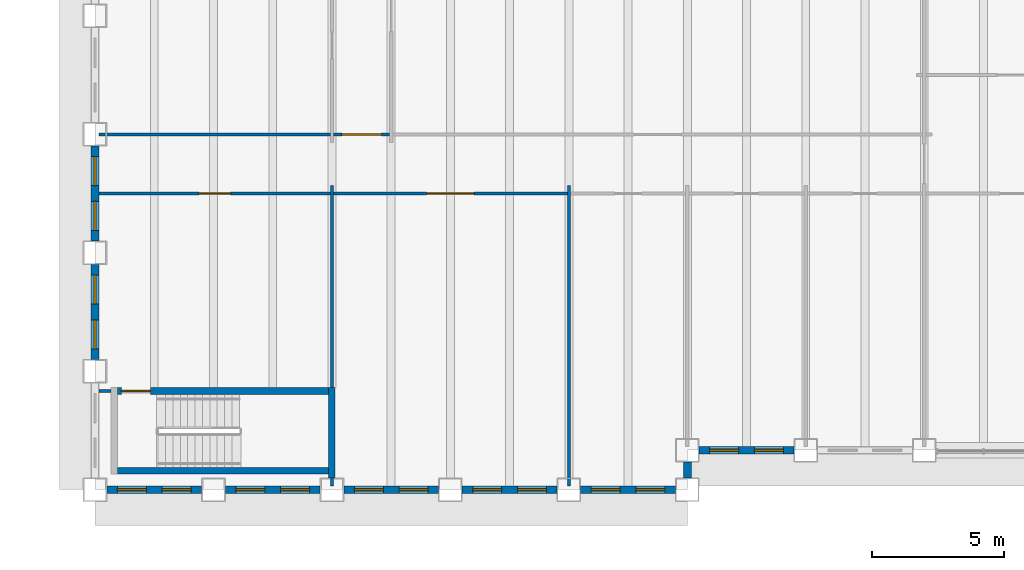
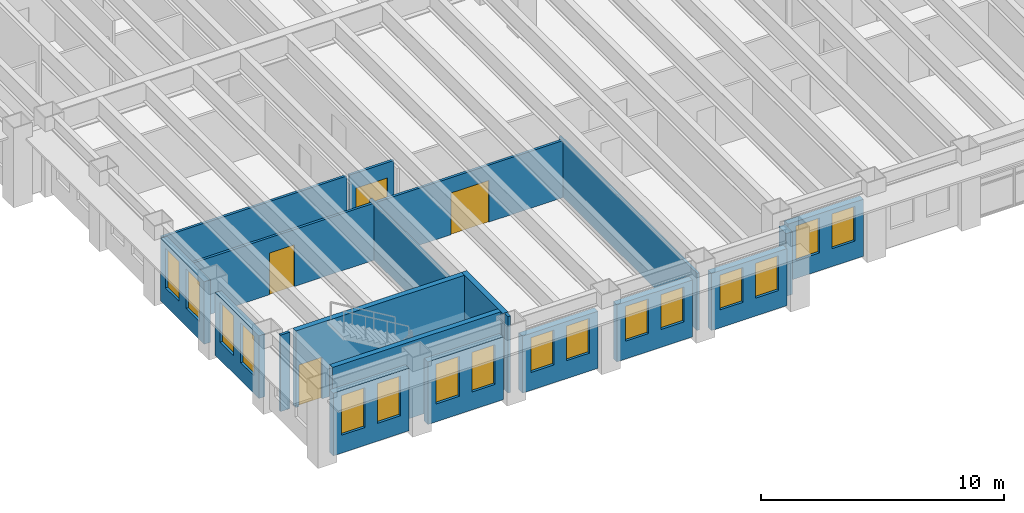
# One storey, part 5 of 17: 20 walls, 16 windows, 4 doors, 20 openings.
"""IFC4 building model written with IfcOpenShell, lengths in metres."""

import ifcopenshell
import ifcopenshell.guid

model = None  # the IFC model being written
_history = None  # IfcOwnerHistory: only IFC2X3 demands one
_inside = {}  # id of a spatial element -> (the spatial element, [elements in it])
_under = {}  # id of a project, library or spatial element -> (it, [spatial elements below it])
_declared = {}  # id of a project -> (the project, [libraries it declares])
_typed = {}  # id of a type object -> (the type object, [elements of that type])
_made_of = {}  # id of a material, layer set ... -> (it, [elements and type objects made of it])


def new_model(schema):
    """Start an empty IFC model of exactly this schema.

    Asked for "IFC4X3", IfcOpenShell would pick the latest addendum, in which some entities
    have other attributes; the version numbers below select the first issue.
    IFC2X3 requires an IfcOwnerHistory on every rooted entity: one is made here for all.
    """
    global model, _history
    if schema == "IFC4X3":
        model = ifcopenshell.file(schema_version=(4, 3, 0, 0))
    else:
        model = ifcopenshell.file(schema=schema)
    _inside.clear()
    _under.clear()
    _declared.clear()
    _typed.clear()
    _made_of.clear()
    _history = None
    if model.schema == "IFC2X3":
        org = make("IfcOrganization", Name="unknown")
        user = make(
            "IfcPersonAndOrganization",
            ThePerson=make("IfcPerson", FamilyName="unknown"),
            TheOrganization=org,
        )
        app = make(
            "IfcApplication",
            ApplicationDeveloper=org,
            Version="unknown",
            ApplicationFullName="unknown",
            ApplicationIdentifier="unknown",
        )
        _history = make(
            "IfcOwnerHistory",
            OwningUser=user,
            OwningApplication=app,
            ChangeAction="ADDED",
            CreationDate=0,
        )
    return model


def make(cls, **values):
    """One entity of the class cls with the attributes given. An attribute that is None is left unset."""
    return model.create_entity(
        cls, **{name: value for name, value in values.items() if value is not None}
    )


def rooted(cls, **values):
    """An entity with a GlobalId (a new one), such as an element, a storey or a relation."""
    return make(cls, GlobalId=ifcopenshell.guid.new(), OwnerHistory=_history, **values)


def si_unit(unit_type, name, prefix=None):
    """IfcSIUnit, for example si_unit("LENGTHUNIT", "METRE", prefix="MILLI")."""
    return make("IfcSIUnit", UnitType=unit_type, Prefix=prefix, Name=name)


def assignment(units):
    """IfcUnitAssignment: the units of a project."""
    return None if units is None else make("IfcUnitAssignment", Units=units)


def point(xyz):
    """IfcCartesianPoint."""
    return None if xyz is None else make("IfcCartesianPoint", Coordinates=xyz)


def direction(xyz):
    """IfcDirection."""
    return None if xyz is None else make("IfcDirection", DirectionRatios=xyz)


def frame(location, z_axis=None, x_axis=None):
    """IfcAxis2Placement3D, a coordinate frame: its origin and axes. An axis left out is left unset."""
    return make(
        "IfcAxis2Placement3D",
        Location=point(location),
        Axis=direction(z_axis),
        RefDirection=direction(x_axis),
    )


def frame_2d(location, x_axis=None):
    """IfcAxis2Placement2D, a coordinate frame in the plane: its origin and x axis."""
    return make(
        "IfcAxis2Placement2D", Location=point(location), RefDirection=direction(x_axis)
    )


def origin():
    """The frame at (0, 0, 0) with its axes left unset."""
    return frame((0.0, 0.0, 0.0))


def place(relative_to, where):
    """IfcLocalPlacement: puts the frame where relative to a parent placement (None: the world)."""
    return make(
        "IfcLocalPlacement", PlacementRelTo=relative_to, RelativePlacement=where
    )


def context(
    kind, dimensions, precision=None, world=None, true_north=None, identifier=None
):
    """IfcGeometricRepresentationContext, for example the 3D "Model" context."""
    return make(
        "IfcGeometricRepresentationContext",
        ContextIdentifier=identifier,
        ContextType=kind,
        CoordinateSpaceDimension=dimensions,
        Precision=precision,
        WorldCoordinateSystem=world,
        TrueNorth=true_north,
    )


def subcontext(parent, identifier, kind, view, scale=None):
    """IfcGeometricRepresentationSubContext, for example "Body" below "Model"."""
    return make(
        "IfcGeometricRepresentationSubContext",
        ContextIdentifier=identifier,
        ContextType=kind,
        ParentContext=parent,
        TargetScale=scale,
        TargetView=view,
    )


def project(units=None, contexts=None):
    """IfcProject with its units and contexts."""
    return rooted(
        "IfcProject",
        Name="project",
        RepresentationContexts=contexts,
        UnitsInContext=assignment(units),
    )


def spatial(cls, under=None, at=None, **own):
    """A site, building, storey or space (cls), placed at a placement, below another one or the project."""
    s = rooted(cls, ObjectPlacement=at, **own)
    if under is not None:
        _under.setdefault(under.id(), (under, []))[1].append(s)
    return s


def profile(cls, at=None, kind="AREA", **sizes):
    """A parametric profile (cls). Its sizes go by their IFC names, for example OverallWidth=200.0."""
    return make(cls, ProfileType=kind, Position=at, **sizes)


def rectangle(**sizes):
    """IfcRectangleProfileDef."""
    return profile("IfcRectangleProfileDef", **sizes)


def extrude(swept, where, along, depth):
    """IfcExtrudedAreaSolid: the profile swept, set in the frame where, extruded along a direction by depth."""
    return make(
        "IfcExtrudedAreaSolid",
        SweptArea=swept,
        Position=where,
        ExtrudedDirection=direction(along),
        Depth=depth,
    )


def shape(context_of_items, identifier, shape_type, items):
    """IfcShapeRepresentation: the items that make up one representation, for example the "Body"."""
    return make(
        "IfcShapeRepresentation",
        ContextOfItems=context_of_items,
        RepresentationIdentifier=identifier,
        RepresentationType=shape_type,
        Items=items,
    )


def material(Name=None, Category=None):
    """IfcMaterial."""
    return make("IfcMaterial", Name=Name, Category=Category)


def layer(
    of_material, thickness, ventilated=None, Name=None, Category=None, Priority=None
):
    """IfcMaterialLayer: one layer of a wall or slab, of a material (None: an air gap)."""
    return make(
        "IfcMaterialLayer",
        Material=of_material,
        LayerThickness=thickness,
        IsVentilated=ventilated,
        Name=Name,
        Category=Category,
        Priority=Priority,
    )


def layer_set(layers, Name=None):
    """IfcMaterialLayerSet."""
    return make("IfcMaterialLayerSet", MaterialLayers=layers, LayerSetName=Name)


def made_of(thing, what):
    """Note that an element or type object is made of a material, layer set ...; save() writes the relation."""
    if what is not None:
        _made_of.setdefault(what.id(), (what, []))[1].append(thing)
    return thing


def type_object(cls, material=None, **own):
    """A type object (cls), such as IfcWallType, which elements share."""
    return made_of(rooted(cls, **own), material)


def element(
    cls,
    number,
    at=None,
    inside=None,
    cuts=None,
    type_object=None,
    material=None,
    context=None,
    identifier="Body",
    shape_type=None,
    held_by="IfcProductDefinitionShape",
    body=None,
    shapes=None,
    **own,
):
    """One element of the class cls, such as IfcWall. Its Tag is "e" and its number.

    at: its placement. inside: the storey or other place that contains it. cuts: it is an
    opening in that element (IfcRelVoidsElement). A single representation is given by context,
    identifier, shape_type and body (its items); several are given by shapes. held_by: the class
    of the entity that holds the representations. save() writes the other relations.
    """
    e = rooted(cls, Tag="e%d" % number, ObjectPlacement=at, **own)
    if body is not None:
        shapes = [shape(context, identifier, shape_type, body)]
    if shapes is not None:
        e.Representation = make(held_by, Representations=shapes)
    if inside is not None:
        _inside.setdefault(inside.id(), (inside, []))[1].append(e)
    if cuts is not None:
        rooted(
            "IfcRelVoidsElement", RelatingBuildingElement=cuts, RelatedOpeningElement=e
        )
    if type_object is not None:
        _typed.setdefault(type_object.id(), (type_object, []))[1].append(e)
    return made_of(e, material)


def fill(opening, filler):
    """IfcRelFillsElement: the door or window that sits in an opening."""
    return rooted(
        "IfcRelFillsElement",
        RelatingOpeningElement=opening,
        RelatedBuildingElement=filler,
    )


def aggregate(whole, parts):
    """IfcRelAggregates: a whole, such as a stair, and the parts it consists of."""
    return rooted("IfcRelAggregates", RelatingObject=whole, RelatedObjects=parts)


def save(model, path):
    """Write the relations noted so far, then the file.

    IfcRelAggregates (storeys below a building ...), IfcRelContainedInSpatialStructure (elements
    in a storey), IfcRelDefinesByType, IfcRelAssociatesMaterial and IfcRelDeclares: one each for
    every whole, place, type object, material and project.
    """
    for whole, parts in _under.values():
        aggregate(whole, parts)
    for where, things in _inside.values():
        rooted(
            "IfcRelContainedInSpatialStructure",
            RelatedElements=things,
            RelatingStructure=where,
        )
    for kind, things in _typed.values():
        rooted("IfcRelDefinesByType", RelatedObjects=things, RelatingType=kind)
    for what, things in _made_of.values():
        rooted("IfcRelAssociatesMaterial", RelatedObjects=things, RelatingMaterial=what)
    for by, libraries in _declared.values():
        rooted("IfcRelDeclares", RelatingContext=by, RelatedDefinitions=libraries)
    model.write(path)


model = new_model("IFC4")

# Units and contexts
model_context = context("Model", 3, precision=1e-05, world=origin(), true_north=direction((0.0, 1.0)))
body_context = subcontext(model_context, "Body", "Model", "MODEL_VIEW")
ifc_project = project(units=[si_unit("LENGTHUNIT", "METRE"), si_unit("AREAUNIT", "SQUARE_METRE"), si_unit("VOLUMEUNIT", "CUBIC_METRE"), si_unit("PLANEANGLEUNIT", "RADIAN"), si_unit("MASSUNIT", "GRAM", prefix="KILO")], contexts=[model_context])

# Site, building, storey
site_placement = place(None, origin())
site = spatial("IfcSite", under=ifc_project, at=site_placement, CompositionType="ELEMENT")
building_placement = place(site_placement, origin())
building = spatial("IfcBuilding", under=site, at=building_placement, Name="Sennacour Bend Tower", CompositionType="ELEMENT")
storey_placement = place(building_placement, frame((0.0, 0.0, 155.0)))
storey = spatial("IfcBuildingStorey", under=building, at=storey_placement, Name="L35", CompositionType="ELEMENT", Elevation=155.0)

# Walls
ifc_material_1 = material(Name="Plasterboard partition on steel studs", Category="steel")
ifc_layer_1 = layer(ifc_material_1, 0.1201171875, Name="Plasterboard partition on steel studs", Category="steel")
ifc_layer_set_1 = layer_set([ifc_layer_1], Name="Plasterboard partition on steel studs")
wall_type_1 = type_object("IfcWallType", Name="Partition 120", PredefinedType="PARTITIONING", material=ifc_layer_set_1)
wall_1_placement = place(storey_placement, frame((9.0, 0.14990234375, 0.0), z_axis=(0.0, 0.0, 1.0), x_axis=(0.0, 1.0, 0.0)))
element("IfcWall", 1, at=wall_1_placement, inside=storey, type_object=wall_type_1, Name="P-L35-W010a", PredefinedType="PARTITIONING", context=body_context, shape_type="SweptSolid", body=[
    extrude(rectangle(XDim=0.300048828125, YDim=0.1201171875, at=frame_2d((0.14990234375, 0.0))), origin(), (0.0, 0.0, 1.0), 3.85009765625),
])
wall_2_placement = place(storey_placement, frame((9.0, 3.875, 0.0), z_axis=(0.0, 0.0, 1.0), x_axis=(0.0, 1.0, 0.0)))
element("IfcWall", 2, at=wall_2_placement, inside=storey, type_object=wall_type_1, Name="P-L35-W012a", PredefinedType="PARTITIONING", context=body_context, shape_type="SweptSolid", body=[
    extrude(rectangle(XDim=7.675048828125, YDim=0.1201171875, at=frame_2d((3.83740234375, 0.0))), origin(), (0.0, 0.0, 1.0), 2.8701171875),
])
wall_3_placement = place(storey_placement, frame((18.0, 0.14990234375, 0.0), z_axis=(0.0, 0.0, 1.0), x_axis=(0.0, 1.0, 0.0)))
element("IfcWall", 3, at=wall_3_placement, inside=storey, type_object=wall_type_1, Name="P-L35-W021a", PredefinedType="PARTITIONING", context=body_context, shape_type="SweptSolid", body=[
    extrude(rectangle(XDim=11.400146484375, YDim=0.1201171875, at=frame_2d((5.7001953125, 0.0))), origin(), (0.0, 0.0, 1.0), 2.8701171875),
])
wall_4_placement = place(storey_placement, frame((0.14990234375, 3.75, 0.0), z_axis=(0.0, 0.0, 1.0), x_axis=(1.0, 0.0, 0.0)))
element("IfcWall", 4, at=wall_4_placement, inside=storey, type_object=wall_type_1, Name="P-L35-W051a", PredefinedType="PARTITIONING", context=body_context, shape_type="SweptSolid", body=[
    extrude(rectangle(XDim=0.4501953125, YDim=0.1201171875, at=frame_2d((0.22509765625, 0.0))), origin(), (0.0, 0.0, 1.0), 3.85009765625),
])

# Wall, opening, door
wall_5_placement = place(storey_placement, frame((9.06005859375, 11.25, 0.0), z_axis=(0.0, 0.0, 1.0), x_axis=(1.0, 0.0, 0.0)))
wall_5 = element("IfcWall", 5, at=wall_5_placement, inside=storey, type_object=wall_type_1, Name="P-L35-W060ab", PredefinedType="PARTITIONING", context=body_context, shape_type="SweptSolid", body=[
    extrude(rectangle(XDim=8.8798828125, YDim=0.1201171875, at=frame_2d((4.43994140625, 0.0))), origin(), (0.0, 0.0, 1.0), 2.8701171875),
])
opening_1_placement = place(wall_5_placement, frame((3.539794921875, 0.0, 0.0)))
opening_1 = element("IfcOpeningElement", 6, at=opening_1_placement, cuts=wall_5, Name="Opening OD3", PredefinedType="OPENING", context=body_context, shape_type="SweptSolid", body=[
    extrude(rectangle(XDim=1.800048828125, YDim=2.10009765625, at=frame_2d((0.89990234375, 1.050048828125))), frame((0.0, 0.070068359375, 0.0), z_axis=(0.0, -1.0, 0.0), x_axis=(1.0, 0.0, 0.0)), (0.0, 0.0, 1.0), 0.14013671875),
])
ifc_material_2 = material(Name="Timber", Category="wood")
door_type_1 = type_object("IfcDoorType", Name="DR-OFFICE-1800", OperationType="NOTDEFINED", PredefinedType="DOOR", material=ifc_material_2)
door_1_placement = place(opening_1_placement, origin())
door_1 = element("IfcDoor", 7, at=door_1_placement, inside=storey, type_object=door_type_1, Name="Door", OperationType="DOUBLE_DOOR_SINGLE_SWING", OverallHeight=2.10009765625, OverallWidth=1.800048828125, PredefinedType="DOOR", context=body_context, shape_type="SweptSolid", body=[
    extrude(rectangle(XDim=1.800048828125, YDim=2.10009765625, at=frame_2d((0.89990234375, 1.050048828125))), frame((0.0, 0.02490234375, 0.0), z_axis=(0.0, -1.0, 0.0), x_axis=(1.0, 0.0, 0.0)), (0.0, 0.0, 1.0), 0.050048828125),
])
fill(opening_1, door_1)

# Wall
wall_6_placement = place(storey_placement, frame((0.14990234375, 13.5, 0.0), z_axis=(0.0, 0.0, 1.0), x_axis=(1.0, 0.0, 0.0)))
element("IfcWall", 8, at=wall_6_placement, inside=storey, type_object=wall_type_1, Name="P-L35-W063aa", PredefinedType="PARTITIONING", context=body_context, shape_type="SweptSolid", body=[
    extrude(rectangle(XDim=8.7900390625, YDim=0.1201171875, at=frame_2d((4.39501953125, 0.0))), origin(), (0.0, 0.0, 1.0), 2.8701171875),
])

# Wall, opening, door
ifc_layer_2 = layer(ifc_material_1, 0.1201171875, Name="Plasterboard partition on steel studs", Category="steel")
ifc_layer_set_2 = layer_set([ifc_layer_2], Name="Plasterboard partition on steel studs")
wall_type_2 = type_object("IfcWallType", Name="Partition 120 EI 30", PredefinedType="PARTITIONING", material=ifc_layer_set_2)
wall_7_placement = place(storey_placement, frame((0.14990234375, 11.25, 0.0), z_axis=(0.0, 0.0, 1.0), x_axis=(1.0, 0.0, 0.0)))
wall_7 = element("IfcWall", 9, at=wall_7_placement, inside=storey, type_object=wall_type_2, Name="P-L35-W060aa", PredefinedType="PARTITIONING", context=body_context, shape_type="SweptSolid", body=[
    extrude(rectangle(XDim=8.7900390625, YDim=0.1201171875, at=frame_2d((4.39501953125, 0.0))), origin(), (0.0, 0.0, 1.0), 2.8701171875),
])
opening_2_placement = place(wall_7_placement, frame((3.80517578125, 0.0, 0.0)))
opening_2 = element("IfcOpeningElement", 10, at=opening_2_placement, cuts=wall_7, Name="Opening KD2", PredefinedType="OPENING", context=body_context, shape_type="SweptSolid", body=[
    extrude(rectangle(XDim=1.199951171875, YDim=2.10009765625, at=frame_2d((0.60009765625, 1.050048828125))), frame((0.0, 0.070068359375, 0.0), z_axis=(0.0, -1.0, 0.0), x_axis=(1.0, 0.0, 0.0)), (0.0, 0.0, 1.0), 0.14013671875),
])
ifc_material_3 = material(Name="Painted steel", Category="steel")
door_type_2 = type_object("IfcDoorType", Name="DR-CORRIDOR-1200", OperationType="NOTDEFINED", PredefinedType="DOOR", material=ifc_material_3)
door_2_placement = place(opening_2_placement, origin())
door_2 = element("IfcDoor", 11, at=door_2_placement, inside=storey, type_object=door_type_2, Name="Door", OperationType="SINGLE_SWING_LEFT", OverallHeight=2.10009765625, OverallWidth=1.199951171875, PredefinedType="DOOR", context=body_context, shape_type="SweptSolid", body=[
    extrude(rectangle(XDim=1.199951171875, YDim=2.10009765625, at=frame_2d((0.60009765625, 1.050048828125))), frame((0.0, 0.02490234375, 0.0), z_axis=(0.0, -1.0, 0.0), x_axis=(1.0, 0.0, 0.0)), (0.0, 0.0, 1.0), 0.050048828125),
])
fill(opening_2, door_2)

wall_8_placement = place(storey_placement, frame((9.06005859375, 13.5, 0.0), z_axis=(0.0, 0.0, 1.0), x_axis=(1.0, 0.0, 0.0)))
wall_8 = element("IfcWall", 12, at=wall_8_placement, inside=storey, type_object=wall_type_2, Name="P-L35-W063ab", PredefinedType="PARTITIONING", context=body_context, shape_type="SweptSolid", body=[
    extrude(rectangle(XDim=2.1298828125, YDim=0.1201171875, at=frame_2d((1.06494140625, 0.0))), origin(), (0.0, 0.0, 1.0), 2.8701171875),
])
opening_3_placement = place(wall_8_placement, frame((0.31494140625, 0.0, 0.0)))
opening_3 = element("IfcOpeningElement", 13, at=opening_3_placement, cuts=wall_8, Name="Opening KD", PredefinedType="OPENING", context=body_context, shape_type="SweptSolid", body=[
    extrude(rectangle(XDim=1.5, YDim=2.10009765625, at=frame_2d((0.75, 1.050048828125))), frame((0.0, 0.070068359375, 0.0), z_axis=(0.0, -1.0, 0.0), x_axis=(1.0, 0.0, 0.0)), (0.0, 0.0, 1.0), 0.14013671875),
])
door_type_3 = type_object("IfcDoorType", Name="DR-CORRIDOR-1500", OperationType="NOTDEFINED", PredefinedType="DOOR", material=ifc_material_3)
door_3_placement = place(opening_3_placement, origin())
door_3 = element("IfcDoor", 14, at=door_3_placement, inside=storey, type_object=door_type_3, Name="Door", OperationType="SINGLE_SWING_LEFT", OverallHeight=2.10009765625, OverallWidth=1.5, PredefinedType="DOOR", context=body_context, shape_type="SweptSolid", body=[
    extrude(rectangle(XDim=1.5, YDim=2.10009765625, at=frame_2d((0.75, 1.050048828125))), frame((0.0, 0.02490234375, 0.0), z_axis=(0.0, -1.0, 0.0), x_axis=(1.0, 0.0, 0.0)), (0.0, 0.0, 1.0), 0.050048828125),
])
fill(opening_3, door_3)

# Wall, openings, windows
ifc_material_4 = material(Name="Warm limestone cladding", Category="masonry")
ifc_layer_3 = layer(ifc_material_4, 0.050048828125, Name="Warm limestone cladding", Category="masonry")
ifc_material_5 = material(Name="Precast concrete C40/50", Category="concrete")
ifc_layer_4 = layer(ifc_material_5, 0.25, Name="Precast concrete C40/50", Category="concrete")
ifc_layer_set_3 = layer_set([ifc_layer_3, ifc_layer_4], Name="Precast concrete C40/50 with limestone cladding")
wall_type_3 = type_object("IfcWallType", Name="STONE-CLAD PRECAST SPANDREL 300", PredefinedType="STANDARD", material=ifc_layer_set_3)
wall_9_placement = place(storey_placement, frame((0.449951171875, 0.0, 0.0), z_axis=(0.0, 0.0, 1.0), x_axis=(1.0, 0.0, 0.0)))
wall_9 = element("IfcWall", 15, at=wall_9_placement, inside=storey, type_object=wall_type_3, Name="Stone spandrel and pier wall L35 00.00", PredefinedType="STANDARD", context=body_context, shape_type="SweptSolid", body=[
    extrude(rectangle(XDim=3.60009765625, YDim=0.300048828125, at=frame_2d((1.800048828125, 0.0))), origin(), (0.0, 0.0, 1.0), 3.14892578125),
])
opening_4_placement = place(wall_9_placement, frame((0.39990234375, 0.0, 0.89990234375)))
opening_4 = element("IfcOpeningElement", 16, at=opening_4_placement, cuts=wall_9, Name="Opening W19", PredefinedType="OPENING", context=body_context, shape_type="SweptSolid", body=[
    extrude(rectangle(XDim=1.10009765625, YDim=2.0, at=frame_2d((0.550048828125, 1.0))), frame((0.0, 0.16015625, 0.0), z_axis=(0.0, -1.0, 0.0), x_axis=(1.0, 0.0, 0.0)), (0.0, 0.0, 1.0), 0.320068359375),
])
opening_5_placement = place(wall_9_placement, frame((2.10009765625, 0.0, 0.89990234375)))
opening_5 = element("IfcOpeningElement", 17, at=opening_5_placement, cuts=wall_9, Name="Opening W19", PredefinedType="OPENING", context=body_context, shape_type="SweptSolid", body=[
    extrude(rectangle(XDim=1.10009765625, YDim=2.0, at=frame_2d((0.550048828125, 1.0))), frame((0.0, 0.16015625, 0.0), z_axis=(0.0, -1.0, 0.0), x_axis=(1.0, 0.0, 0.0)), (0.0, 0.0, 1.0), 0.320068359375),
])
ifc_material_6 = material(Name="Clear low-emissivity glass", Category="glass")
window_type_1 = type_object("IfcWindowType", Name="WIN-RIBBON-1100x2000", PartitioningType="SINGLE_PANEL", PredefinedType="WINDOW", material=ifc_material_6)
window_1_placement = place(opening_4_placement, origin())
window_1 = element("IfcWindow", 18, at=window_1_placement, inside=storey, type_object=window_type_1, Name="Ribbon window L35 00.00.0", OverallHeight=2.0, OverallWidth=1.10009765625, PartitioningType="SINGLE_PANEL", PredefinedType="WINDOW", context=body_context, shape_type="SweptSolid", body=[
    extrude(rectangle(XDim=1.10009765625, YDim=2.0, at=frame_2d((0.550048828125, 1.0))), frame((0.0, 0.030029296875, 0.0), z_axis=(0.0, -1.0, 0.0), x_axis=(1.0, 0.0, 0.0)), (0.0, 0.0, 1.0), 0.06005859375),
])
fill(opening_4, window_1)
window_2_placement = place(opening_5_placement, origin())
window_2 = element("IfcWindow", 19, at=window_2_placement, inside=storey, type_object=window_type_1, Name="Ribbon window L35 00.00.1", OverallHeight=2.0, OverallWidth=1.10009765625, PartitioningType="SINGLE_PANEL", PredefinedType="WINDOW", context=body_context, shape_type="SweptSolid", body=[
    extrude(rectangle(XDim=1.10009765625, YDim=2.0, at=frame_2d((0.550048828125, 1.0))), frame((0.0, 0.030029296875, 0.0), z_axis=(0.0, -1.0, 0.0), x_axis=(1.0, 0.0, 0.0)), (0.0, 0.0, 1.0), 0.06005859375),
])
fill(opening_5, window_2)

wall_10_placement = place(storey_placement, frame((4.949951171875, 0.0, 0.0), z_axis=(0.0, 0.0, 1.0), x_axis=(1.0, 0.0, 0.0)))
wall_10 = element("IfcWall", 20, at=wall_10_placement, inside=storey, type_object=wall_type_3, Name="Stone spandrel and pier wall L35 00.01", PredefinedType="STANDARD", context=body_context, shape_type="SweptSolid", body=[
    extrude(rectangle(XDim=3.60009765625, YDim=0.300048828125, at=frame_2d((1.800048828125, 0.0))), origin(), (0.0, 0.0, 1.0), 3.14892578125),
])
opening_6_placement = place(wall_10_placement, frame((0.39990234375, 0.0, 0.89990234375)))
opening_6 = element("IfcOpeningElement", 21, at=opening_6_placement, cuts=wall_10, Name="Opening W19", PredefinedType="OPENING", context=body_context, shape_type="SweptSolid", body=[
    extrude(rectangle(XDim=1.10009765625, YDim=2.0, at=frame_2d((0.550048828125, 1.0))), frame((0.0, 0.16015625, 0.0), z_axis=(0.0, -1.0, 0.0), x_axis=(1.0, 0.0, 0.0)), (0.0, 0.0, 1.0), 0.320068359375),
])
opening_7_placement = place(wall_10_placement, frame((2.10009765625, 0.0, 0.89990234375)))
opening_7 = element("IfcOpeningElement", 22, at=opening_7_placement, cuts=wall_10, Name="Opening W19", PredefinedType="OPENING", context=body_context, shape_type="SweptSolid", body=[
    extrude(rectangle(XDim=1.10009765625, YDim=2.0, at=frame_2d((0.550048828125, 1.0))), frame((0.0, 0.16015625, 0.0), z_axis=(0.0, -1.0, 0.0), x_axis=(1.0, 0.0, 0.0)), (0.0, 0.0, 1.0), 0.320068359375),
])
window_3_placement = place(opening_6_placement, origin())
window_3 = element("IfcWindow", 23, at=window_3_placement, inside=storey, type_object=window_type_1, Name="Ribbon window L35 00.01.0", OverallHeight=2.0, OverallWidth=1.10009765625, PartitioningType="SINGLE_PANEL", PredefinedType="WINDOW", context=body_context, shape_type="SweptSolid", body=[
    extrude(rectangle(XDim=1.10009765625, YDim=2.0, at=frame_2d((0.550048828125, 1.0))), frame((0.0, 0.030029296875, 0.0), z_axis=(0.0, -1.0, 0.0), x_axis=(1.0, 0.0, 0.0)), (0.0, 0.0, 1.0), 0.06005859375),
])
fill(opening_6, window_3)
window_4_placement = place(opening_7_placement, origin())
window_4 = element("IfcWindow", 24, at=window_4_placement, inside=storey, type_object=window_type_1, Name="Ribbon window L35 00.01.1", OverallHeight=2.0, OverallWidth=1.10009765625, PartitioningType="SINGLE_PANEL", PredefinedType="WINDOW", context=body_context, shape_type="SweptSolid", body=[
    extrude(rectangle(XDim=1.10009765625, YDim=2.0, at=frame_2d((0.550048828125, 1.0))), frame((0.0, 0.030029296875, 0.0), z_axis=(0.0, -1.0, 0.0), x_axis=(1.0, 0.0, 0.0)), (0.0, 0.0, 1.0), 0.06005859375),
])
fill(opening_7, window_4)

wall_11_placement = place(storey_placement, frame((9.449951171875, 0.0, 0.0), z_axis=(0.0, 0.0, 1.0), x_axis=(1.0, 0.0, 0.0)))
wall_11 = element("IfcWall", 25, at=wall_11_placement, inside=storey, type_object=wall_type_3, Name="Stone spandrel and pier wall L35 00.02", PredefinedType="STANDARD", context=body_context, shape_type="SweptSolid", body=[
    extrude(rectangle(XDim=3.60009765625, YDim=0.300048828125, at=frame_2d((1.800048828125, 0.0))), origin(), (0.0, 0.0, 1.0), 2.8701171875),
])
opening_8_placement = place(wall_11_placement, frame((0.39990234375, 0.0, 0.89990234375)))
opening_8 = element("IfcOpeningElement", 26, at=opening_8_placement, cuts=wall_11, Name="Opening W17", PredefinedType="OPENING", context=body_context, shape_type="SweptSolid", body=[
    extrude(rectangle(XDim=1.10009765625, YDim=1.75, at=frame_2d((0.550048828125, 0.875))), frame((0.0, 0.16015625, 0.0), z_axis=(0.0, -1.0, 0.0), x_axis=(1.0, 0.0, 0.0)), (0.0, 0.0, 1.0), 0.320068359375),
])
opening_9_placement = place(wall_11_placement, frame((2.10009765625, 0.0, 0.89990234375)))
opening_9 = element("IfcOpeningElement", 27, at=opening_9_placement, cuts=wall_11, Name="Opening W17", PredefinedType="OPENING", context=body_context, shape_type="SweptSolid", body=[
    extrude(rectangle(XDim=1.10009765625, YDim=1.75, at=frame_2d((0.550048828125, 0.875))), frame((0.0, 0.16015625, 0.0), z_axis=(0.0, -1.0, 0.0), x_axis=(1.0, 0.0, 0.0)), (0.0, 0.0, 1.0), 0.320068359375),
])
window_type_2 = type_object("IfcWindowType", Name="WIN-RIBBON-1100x1750", PartitioningType="SINGLE_PANEL", PredefinedType="WINDOW", material=ifc_material_6)
window_5_placement = place(opening_8_placement, origin())
window_5 = element("IfcWindow", 28, at=window_5_placement, inside=storey, type_object=window_type_2, Name="Ribbon window L35 00.02.0", OverallHeight=1.75, OverallWidth=1.10009765625, PartitioningType="SINGLE_PANEL", PredefinedType="WINDOW", context=body_context, shape_type="SweptSolid", body=[
    extrude(rectangle(XDim=1.10009765625, YDim=1.75, at=frame_2d((0.550048828125, 0.875))), frame((0.0, 0.030029296875, 0.0), z_axis=(0.0, -1.0, 0.0), x_axis=(1.0, 0.0, 0.0)), (0.0, 0.0, 1.0), 0.06005859375),
])
fill(opening_8, window_5)
window_6_placement = place(opening_9_placement, origin())
window_6 = element("IfcWindow", 29, at=window_6_placement, inside=storey, type_object=window_type_2, Name="Ribbon window L35 00.02.1", OverallHeight=1.75, OverallWidth=1.10009765625, PartitioningType="SINGLE_PANEL", PredefinedType="WINDOW", context=body_context, shape_type="SweptSolid", body=[
    extrude(rectangle(XDim=1.10009765625, YDim=1.75, at=frame_2d((0.550048828125, 0.875))), frame((0.0, 0.030029296875, 0.0), z_axis=(0.0, -1.0, 0.0), x_axis=(1.0, 0.0, 0.0)), (0.0, 0.0, 1.0), 0.06005859375),
])
fill(opening_9, window_6)

wall_12_placement = place(storey_placement, frame((13.949951171875, 0.0, 0.0), z_axis=(0.0, 0.0, 1.0), x_axis=(1.0, 0.0, 0.0)))
wall_12 = element("IfcWall", 30, at=wall_12_placement, inside=storey, type_object=wall_type_3, Name="Stone spandrel and pier wall L35 00.03", PredefinedType="STANDARD", context=body_context, shape_type="SweptSolid", body=[
    extrude(rectangle(XDim=3.60009765625, YDim=0.300048828125, at=frame_2d((1.800048828125, 0.0))), origin(), (0.0, 0.0, 1.0), 2.8701171875),
])
opening_10_placement = place(wall_12_placement, frame((0.39990234375, 0.0, 0.89990234375)))
opening_10 = element("IfcOpeningElement", 31, at=opening_10_placement, cuts=wall_12, Name="Opening W17", PredefinedType="OPENING", context=body_context, shape_type="SweptSolid", body=[
    extrude(rectangle(XDim=1.10009765625, YDim=1.75, at=frame_2d((0.550048828125, 0.875))), frame((0.0, 0.16015625, 0.0), z_axis=(0.0, -1.0, 0.0), x_axis=(1.0, 0.0, 0.0)), (0.0, 0.0, 1.0), 0.320068359375),
])
opening_11_placement = place(wall_12_placement, frame((2.10009765625, 0.0, 0.89990234375)))
opening_11 = element("IfcOpeningElement", 32, at=opening_11_placement, cuts=wall_12, Name="Opening W17", PredefinedType="OPENING", context=body_context, shape_type="SweptSolid", body=[
    extrude(rectangle(XDim=1.10009765625, YDim=1.75, at=frame_2d((0.550048828125, 0.875))), frame((0.0, 0.16015625, 0.0), z_axis=(0.0, -1.0, 0.0), x_axis=(1.0, 0.0, 0.0)), (0.0, 0.0, 1.0), 0.320068359375),
])
window_7_placement = place(opening_10_placement, origin())
window_7 = element("IfcWindow", 33, at=window_7_placement, inside=storey, type_object=window_type_2, Name="Ribbon window L35 00.03.0", OverallHeight=1.75, OverallWidth=1.10009765625, PartitioningType="SINGLE_PANEL", PredefinedType="WINDOW", context=body_context, shape_type="SweptSolid", body=[
    extrude(rectangle(XDim=1.10009765625, YDim=1.75, at=frame_2d((0.550048828125, 0.875))), frame((0.0, 0.030029296875, 0.0), z_axis=(0.0, -1.0, 0.0), x_axis=(1.0, 0.0, 0.0)), (0.0, 0.0, 1.0), 0.06005859375),
])
fill(opening_10, window_7)
window_8_placement = place(opening_11_placement, origin())
window_8 = element("IfcWindow", 34, at=window_8_placement, inside=storey, type_object=window_type_2, Name="Ribbon window L35 00.03.1", OverallHeight=1.75, OverallWidth=1.10009765625, PartitioningType="SINGLE_PANEL", PredefinedType="WINDOW", context=body_context, shape_type="SweptSolid", body=[
    extrude(rectangle(XDim=1.10009765625, YDim=1.75, at=frame_2d((0.550048828125, 0.875))), frame((0.0, 0.030029296875, 0.0), z_axis=(0.0, -1.0, 0.0), x_axis=(1.0, 0.0, 0.0)), (0.0, 0.0, 1.0), 0.06005859375),
])
fill(opening_11, window_8)

wall_13_placement = place(storey_placement, frame((18.449951171875, 0.0, 0.0), z_axis=(0.0, 0.0, 1.0), x_axis=(1.0, 0.0, 0.0)))
wall_13 = element("IfcWall", 35, at=wall_13_placement, inside=storey, type_object=wall_type_3, Name="Stone spandrel and pier wall L35 00.04", PredefinedType="STANDARD", context=body_context, shape_type="SweptSolid", body=[
    extrude(rectangle(XDim=3.60009765625, YDim=0.300048828125, at=frame_2d((1.800048828125, 0.0))), origin(), (0.0, 0.0, 1.0), 2.8701171875),
])
opening_12_placement = place(wall_13_placement, frame((0.39990234375, 0.0, 0.89990234375)))
opening_12 = element("IfcOpeningElement", 36, at=opening_12_placement, cuts=wall_13, Name="Opening W17", PredefinedType="OPENING", context=body_context, shape_type="SweptSolid", body=[
    extrude(rectangle(XDim=1.10009765625, YDim=1.75, at=frame_2d((0.550048828125, 0.875))), frame((0.0, 0.16015625, 0.0), z_axis=(0.0, -1.0, 0.0), x_axis=(1.0, 0.0, 0.0)), (0.0, 0.0, 1.0), 0.320068359375),
])
opening_13_placement = place(wall_13_placement, frame((2.10009765625, 0.0, 0.89990234375)))
opening_13 = element("IfcOpeningElement", 37, at=opening_13_placement, cuts=wall_13, Name="Opening W17", PredefinedType="OPENING", context=body_context, shape_type="SweptSolid", body=[
    extrude(rectangle(XDim=1.10009765625, YDim=1.75, at=frame_2d((0.550048828125, 0.875))), frame((0.0, 0.16015625, 0.0), z_axis=(0.0, -1.0, 0.0), x_axis=(1.0, 0.0, 0.0)), (0.0, 0.0, 1.0), 0.320068359375),
])
window_9_placement = place(opening_12_placement, origin())
window_9 = element("IfcWindow", 38, at=window_9_placement, inside=storey, type_object=window_type_2, Name="Ribbon window L35 00.04.0", OverallHeight=1.75, OverallWidth=1.10009765625, PartitioningType="SINGLE_PANEL", PredefinedType="WINDOW", context=body_context, shape_type="SweptSolid", body=[
    extrude(rectangle(XDim=1.10009765625, YDim=1.75, at=frame_2d((0.550048828125, 0.875))), frame((0.0, 0.030029296875, 0.0), z_axis=(0.0, -1.0, 0.0), x_axis=(1.0, 0.0, 0.0)), (0.0, 0.0, 1.0), 0.06005859375),
])
fill(opening_12, window_9)
window_10_placement = place(opening_13_placement, origin())
window_10 = element("IfcWindow", 39, at=window_10_placement, inside=storey, type_object=window_type_2, Name="Ribbon window L35 00.04.1", OverallHeight=1.75, OverallWidth=1.10009765625, PartitioningType="SINGLE_PANEL", PredefinedType="WINDOW", context=body_context, shape_type="SweptSolid", body=[
    extrude(rectangle(XDim=1.10009765625, YDim=1.75, at=frame_2d((0.550048828125, 0.875))), frame((0.0, 0.030029296875, 0.0), z_axis=(0.0, -1.0, 0.0), x_axis=(1.0, 0.0, 0.0)), (0.0, 0.0, 1.0), 0.06005859375),
])
fill(opening_13, window_10)

# Wall
wall_14_placement = place(storey_placement, frame((22.5, 0.449951171875, 0.0), z_axis=(0.0, 0.0, 1.0), x_axis=(0.0, 1.0, 0.0)))
element("IfcWall", 40, at=wall_14_placement, inside=storey, type_object=wall_type_3, Name="Stone spandrel and pier wall L35 01.00", PredefinedType="STANDARD", context=body_context, shape_type="SweptSolid", body=[
    extrude(rectangle(XDim=0.60009765625, YDim=0.300048828125, at=frame_2d((0.300048828125, 0.0))), origin(), (0.0, 0.0, 1.0), 3.14892578125),
])

# Wall, openings, windows
wall_15_placement = place(storey_placement, frame((22.949951171875, 1.5, 0.0), z_axis=(0.0, 0.0, 1.0), x_axis=(1.0, 0.0, 0.0)))
wall_15 = element("IfcWall", 41, at=wall_15_placement, inside=storey, type_object=wall_type_3, Name="Stone spandrel and pier wall L35 02.00", PredefinedType="STANDARD", context=body_context, shape_type="SweptSolid", body=[
    extrude(rectangle(XDim=3.60009765625, YDim=0.300048828125, at=frame_2d((1.800048828125, 0.0))), origin(), (0.0, 0.0, 1.0), 2.8701171875),
])
opening_14_placement = place(wall_15_placement, frame((0.39990234375, 0.0, 0.89990234375)))
opening_14 = element("IfcOpeningElement", 42, at=opening_14_placement, cuts=wall_15, Name="Opening W17", PredefinedType="OPENING", context=body_context, shape_type="SweptSolid", body=[
    extrude(rectangle(XDim=1.10009765625, YDim=1.75, at=frame_2d((0.550048828125, 0.875))), frame((0.0, 0.16015625, 0.0), z_axis=(0.0, -1.0, 0.0), x_axis=(1.0, 0.0, 0.0)), (0.0, 0.0, 1.0), 0.320068359375),
])
opening_15_placement = place(wall_15_placement, frame((2.10009765625, 0.0, 0.89990234375)))
opening_15 = element("IfcOpeningElement", 43, at=opening_15_placement, cuts=wall_15, Name="Opening W17", PredefinedType="OPENING", context=body_context, shape_type="SweptSolid", body=[
    extrude(rectangle(XDim=1.10009765625, YDim=1.75, at=frame_2d((0.550048828125, 0.875))), frame((0.0, 0.16015625, 0.0), z_axis=(0.0, -1.0, 0.0), x_axis=(1.0, 0.0, 0.0)), (0.0, 0.0, 1.0), 0.320068359375),
])
window_11_placement = place(opening_14_placement, origin())
window_11 = element("IfcWindow", 44, at=window_11_placement, inside=storey, type_object=window_type_2, Name="Ribbon window L35 02.00.0", OverallHeight=1.75, OverallWidth=1.10009765625, PartitioningType="SINGLE_PANEL", PredefinedType="WINDOW", context=body_context, shape_type="SweptSolid", body=[
    extrude(rectangle(XDim=1.10009765625, YDim=1.75, at=frame_2d((0.550048828125, 0.875))), frame((0.0, 0.030029296875, 0.0), z_axis=(0.0, -1.0, 0.0), x_axis=(1.0, 0.0, 0.0)), (0.0, 0.0, 1.0), 0.06005859375),
])
fill(opening_14, window_11)
window_12_placement = place(opening_15_placement, origin())
window_12 = element("IfcWindow", 45, at=window_12_placement, inside=storey, type_object=window_type_2, Name="Ribbon window L35 02.00.1", OverallHeight=1.75, OverallWidth=1.10009765625, PartitioningType="SINGLE_PANEL", PredefinedType="WINDOW", context=body_context, shape_type="SweptSolid", body=[
    extrude(rectangle(XDim=1.10009765625, YDim=1.75, at=frame_2d((0.550048828125, 0.875))), frame((0.0, 0.030029296875, 0.0), z_axis=(0.0, -1.0, 0.0), x_axis=(1.0, 0.0, 0.0)), (0.0, 0.0, 1.0), 0.06005859375),
])
fill(opening_15, window_12)

wall_16_placement = place(storey_placement, frame((0.0, 13.050048828125, 0.0), z_axis=(0.0, 0.0, 1.0), x_axis=(0.0, -1.0, 0.0)))
wall_16 = element("IfcWall", 46, at=wall_16_placement, inside=storey, type_object=wall_type_3, Name="Stone spandrel and pier wall L35 23.02", PredefinedType="STANDARD", context=body_context, shape_type="SweptSolid", body=[
    extrude(rectangle(XDim=3.60009765625, YDim=0.300048828125, at=frame_2d((1.800048828125, 0.0))), origin(), (0.0, 0.0, 1.0), 3.14892578125),
])
opening_16_placement = place(wall_16_placement, frame((0.39990234375, 0.0, 0.89990234375)))
opening_16 = element("IfcOpeningElement", 47, at=opening_16_placement, cuts=wall_16, Name="Opening W19", PredefinedType="OPENING", context=body_context, shape_type="SweptSolid", body=[
    extrude(rectangle(XDim=1.10009765625, YDim=2.0, at=frame_2d((0.550048828125, 1.0))), frame((0.0, 0.16015625, 0.0), z_axis=(0.0, -1.0, 0.0), x_axis=(1.0, 0.0, 0.0)), (0.0, 0.0, 1.0), 0.320068359375),
])
opening_17_placement = place(wall_16_placement, frame((2.10009765625, 0.0, 0.89990234375)))
opening_17 = element("IfcOpeningElement", 48, at=opening_17_placement, cuts=wall_16, Name="Opening W19", PredefinedType="OPENING", context=body_context, shape_type="SweptSolid", body=[
    extrude(rectangle(XDim=1.10009765625, YDim=2.0, at=frame_2d((0.550048828125, 1.0))), frame((0.0, 0.16015625, 0.0), z_axis=(0.0, -1.0, 0.0), x_axis=(1.0, 0.0, 0.0)), (0.0, 0.0, 1.0), 0.320068359375),
])
window_13_placement = place(opening_16_placement, origin())
window_13 = element("IfcWindow", 49, at=window_13_placement, inside=storey, type_object=window_type_1, Name="Ribbon window L35 23.02.0", OverallHeight=2.0, OverallWidth=1.10009765625, PartitioningType="SINGLE_PANEL", PredefinedType="WINDOW", context=body_context, shape_type="SweptSolid", body=[
    extrude(rectangle(XDim=1.10009765625, YDim=2.0, at=frame_2d((0.550048828125, 1.0))), frame((0.0, 0.030029296875, 0.0), z_axis=(0.0, -1.0, 0.0), x_axis=(1.0, 0.0, 0.0)), (0.0, 0.0, 1.0), 0.06005859375),
])
fill(opening_16, window_13)
window_14_placement = place(opening_17_placement, origin())
window_14 = element("IfcWindow", 50, at=window_14_placement, inside=storey, type_object=window_type_1, Name="Ribbon window L35 23.02.1", OverallHeight=2.0, OverallWidth=1.10009765625, PartitioningType="SINGLE_PANEL", PredefinedType="WINDOW", context=body_context, shape_type="SweptSolid", body=[
    extrude(rectangle(XDim=1.10009765625, YDim=2.0, at=frame_2d((0.550048828125, 1.0))), frame((0.0, 0.030029296875, 0.0), z_axis=(0.0, -1.0, 0.0), x_axis=(1.0, 0.0, 0.0)), (0.0, 0.0, 1.0), 0.06005859375),
])
fill(opening_17, window_14)

wall_17_placement = place(storey_placement, frame((0.0, 8.550048828125, 0.0), z_axis=(0.0, 0.0, 1.0), x_axis=(0.0, -1.0, 0.0)))
wall_17 = element("IfcWall", 51, at=wall_17_placement, inside=storey, type_object=wall_type_3, Name="Stone spandrel and pier wall L35 23.03", PredefinedType="STANDARD", context=body_context, shape_type="SweptSolid", body=[
    extrude(rectangle(XDim=3.60009765625, YDim=0.300048828125, at=frame_2d((1.800048828125, 0.0))), origin(), (0.0, 0.0, 1.0), 3.14892578125),
])
opening_18_placement = place(wall_17_placement, frame((0.39990234375, 0.0, 0.89990234375)))
opening_18 = element("IfcOpeningElement", 52, at=opening_18_placement, cuts=wall_17, Name="Opening W19", PredefinedType="OPENING", context=body_context, shape_type="SweptSolid", body=[
    extrude(rectangle(XDim=1.10009765625, YDim=2.0, at=frame_2d((0.550048828125, 1.0))), frame((0.0, 0.16015625, 0.0), z_axis=(0.0, -1.0, 0.0), x_axis=(1.0, 0.0, 0.0)), (0.0, 0.0, 1.0), 0.320068359375),
])
opening_19_placement = place(wall_17_placement, frame((2.10009765625, 0.0, 0.89990234375)))
opening_19 = element("IfcOpeningElement", 53, at=opening_19_placement, cuts=wall_17, Name="Opening W19", PredefinedType="OPENING", context=body_context, shape_type="SweptSolid", body=[
    extrude(rectangle(XDim=1.10009765625, YDim=2.0, at=frame_2d((0.550048828125, 1.0))), frame((0.0, 0.16015625, 0.0), z_axis=(0.0, -1.0, 0.0), x_axis=(1.0, 0.0, 0.0)), (0.0, 0.0, 1.0), 0.320068359375),
])
window_15_placement = place(opening_18_placement, origin())
window_15 = element("IfcWindow", 54, at=window_15_placement, inside=storey, type_object=window_type_1, Name="Ribbon window L35 23.03.0", OverallHeight=2.0, OverallWidth=1.10009765625, PartitioningType="SINGLE_PANEL", PredefinedType="WINDOW", context=body_context, shape_type="SweptSolid", body=[
    extrude(rectangle(XDim=1.10009765625, YDim=2.0, at=frame_2d((0.550048828125, 1.0))), frame((0.0, 0.030029296875, 0.0), z_axis=(0.0, -1.0, 0.0), x_axis=(1.0, 0.0, 0.0)), (0.0, 0.0, 1.0), 0.06005859375),
])
fill(opening_18, window_15)
window_16_placement = place(opening_19_placement, origin())
window_16 = element("IfcWindow", 55, at=window_16_placement, inside=storey, type_object=window_type_1, Name="Ribbon window L35 23.03.1", OverallHeight=2.0, OverallWidth=1.10009765625, PartitioningType="SINGLE_PANEL", PredefinedType="WINDOW", context=body_context, shape_type="SweptSolid", body=[
    extrude(rectangle(XDim=1.10009765625, YDim=2.0, at=frame_2d((0.550048828125, 1.0))), frame((0.0, 0.030029296875, 0.0), z_axis=(0.0, -1.0, 0.0), x_axis=(1.0, 0.0, 0.0)), (0.0, 0.0, 1.0), 0.06005859375),
])
fill(opening_19, window_16)

# Walls
ifc_material_7 = material(Name="Concrete C60/75", Category="concrete")
ifc_layer_5 = layer(ifc_material_7, 0.25, Name="Concrete C60/75", Category="concrete")
ifc_layer_set_4 = layer_set([ifc_layer_5], Name="Concrete C60/75")
wall_type_4 = type_object("IfcWallType", Name="Stair wall 250", PredefinedType="SHEAR", material=ifc_layer_set_4)
wall_18_placement = place(storey_placement, frame((9.0, 0.449951171875, 0.0), z_axis=(0.0, 0.0, 1.0), x_axis=(0.0, 1.0, 0.0)))
element("IfcWall", 56, at=wall_18_placement, inside=storey, type_object=wall_type_4, Name="P-L35-W011", PredefinedType="SHEAR", context=body_context, shape_type="SweptSolid", body=[
    extrude(rectangle(XDim=3.425048828125, YDim=0.25, at=frame_2d((1.71240234375, 0.0))), origin(), (0.0, 0.0, 1.0), 3.85009765625),
])
wall_19_placement = place(storey_placement, frame((0.85009765625, 0.72509765625, 0.0), z_axis=(0.0, 0.0, 1.0), x_axis=(1.0, 0.0, 0.0)))
element("IfcWall", 57, at=wall_19_placement, inside=storey, type_object=wall_type_4, Name="P-L35-W048", PredefinedType="SHEAR", context=body_context, shape_type="SweptSolid", body=[
    extrude(rectangle(XDim=8.02490234375, YDim=0.25, at=frame_2d((4.012451171875, 0.0))), origin(), (0.0, 0.0, 1.0), 3.85009765625),
])

# Wall, opening, door
wall_20_placement = place(storey_placement, frame((0.85009765625, 3.75, 0.0), z_axis=(0.0, 0.0, 1.0), x_axis=(1.0, 0.0, 0.0)))
wall_20 = element("IfcWall", 58, at=wall_20_placement, inside=storey, type_object=wall_type_4, Name="P-L35-W052", PredefinedType="SHEAR", context=body_context, shape_type="SweptSolid", body=[
    extrude(rectangle(XDim=8.02490234375, YDim=0.25, at=frame_2d((4.012451171875, 0.0))), origin(), (0.0, 0.0, 1.0), 3.85009765625),
])
opening_20_placement = place(wall_20_placement, frame((0.14990234375, 0.0, 0.0)))
opening_20 = element("IfcOpeningElement", 59, at=opening_20_placement, cuts=wall_20, Name="Opening SD", PredefinedType="OPENING", context=body_context, shape_type="SweptSolid", body=[
    extrude(rectangle(XDim=1.10009765625, YDim=2.10009765625, at=frame_2d((0.550048828125, 1.050048828125))), frame((0.0, 0.135009765625, 0.0), z_axis=(0.0, -1.0, 0.0), x_axis=(1.0, 0.0, 0.0)), (0.0, 0.0, 1.0), 0.27001953125),
])
door_type_4 = type_object("IfcDoorType", Name="DR-STAIR-1100", OperationType="NOTDEFINED", PredefinedType="DOOR", material=ifc_material_3)
door_4_placement = place(opening_20_placement, origin())
door_4 = element("IfcDoor", 60, at=door_4_placement, inside=storey, type_object=door_type_4, Name="Door", OperationType="SINGLE_SWING_LEFT", OverallHeight=2.10009765625, OverallWidth=1.10009765625, PredefinedType="DOOR", context=body_context, shape_type="SweptSolid", body=[
    extrude(rectangle(XDim=1.10009765625, YDim=2.10009765625, at=frame_2d((0.550048828125, 1.050048828125))), frame((0.0, 0.02490234375, 0.0), z_axis=(0.0, -1.0, 0.0), x_axis=(1.0, 0.0, 0.0)), (0.0, 0.0, 1.0), 0.050048828125),
])
fill(opening_20, door_4)

save(model, "model.ifc")
